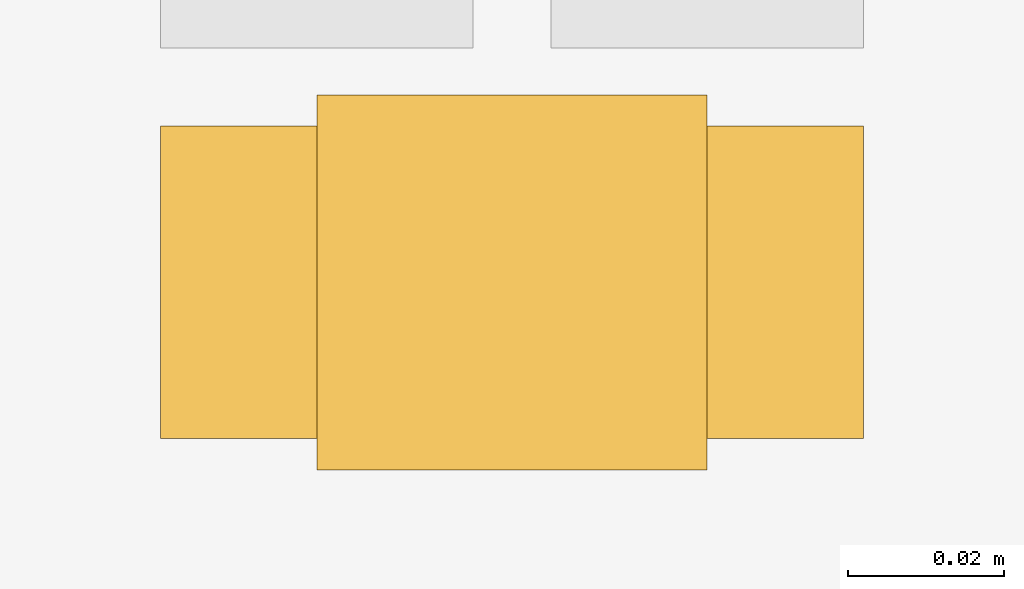
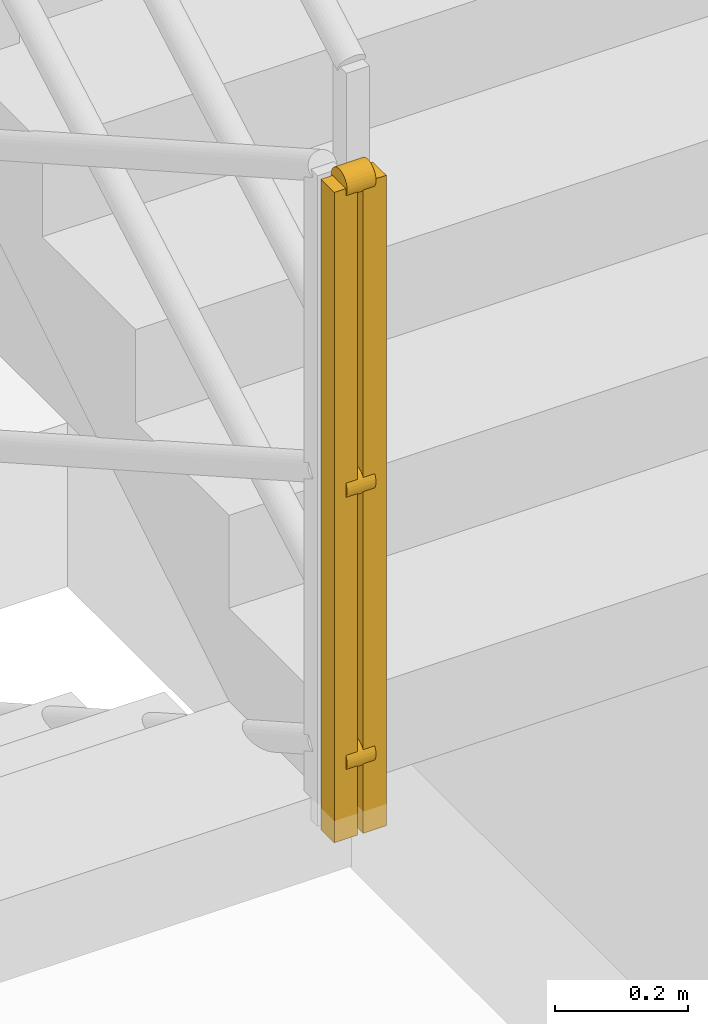
# One storey, part 12 of 16: 1 railing.
"""IFC4 building model written with IfcOpenShell, lengths in metres."""

from ifc_helpers import new_model, entity, si_unit, converted_unit, direction, frame, origin_with_axes, origin_2d_with_axis, place, context, subcontext, project, spatial, rectangle, circle, extrude, material, type_object, element, save


model = new_model("IFC4")

# Units and contexts
model_context = context("Model", 3, precision=1e-05, world=origin_with_axes(), true_north=direction((0.0, 1.0)))
body_context = subcontext(model_context, "Body", "Model", "MODEL_VIEW")
ifc_project = project(units=[si_unit("LENGTHUNIT", "METRE"), si_unit("AREAUNIT", "SQUARE_METRE"), si_unit("VOLUMEUNIT", "CUBIC_METRE"), converted_unit("PLANEANGLEUNIT", "DEGREE", entity("IfcPlaneAngleMeasure", 0.017453292519943295), si_unit("PLANEANGLEUNIT", "RADIAN"), dimensions=[0, 0, 0, 0, 0, 0, 0]), si_unit("MASSUNIT", "GRAM", prefix="KILO"), si_unit("THERMODYNAMICTEMPERATUREUNIT", "KELVIN")], contexts=[model_context])

# Site, building, storey
site_placement = place(None, origin_with_axes())
site = spatial("IfcSite", under=ifc_project, at=site_placement, CompositionType="ELEMENT")
building_placement = place(site_placement, origin_with_axes())
building = spatial("IfcBuilding", under=site, at=building_placement, Name="Varnlund Millrace Tower", CompositionType="ELEMENT")
storey_placement = place(building_placement, frame((0.0, 0.0, 187.5), z_axis=(0.0, 0.0, 1.0), x_axis=(1.0, 0.0, 0.0)))
storey = spatial("IfcBuildingStorey", under=building, at=storey_placement, Name="L46", CompositionType="ELEMENT", Elevation=187.5)

# Railing
ifc_material = material(Name="Painted steel stair well balustrade guard", Category="steel")
railing_type = type_object("IfcRailingType", Name="Type-StairGuard-1150", PredefinedType="GUARDRAIL", material=ifc_material)
railing_placement = place(storey_placement, frame((0.0, 0.0, -187.5), z_axis=(0.0, 0.0, 1.0), x_axis=(1.0, 0.0, 0.0)))
element("IfcRailing", 1, at=railing_placement, inside=storey, type_object=railing_type, Name="Type-StairGuard-1150", PredefinedType="GUARDRAIL", context=body_context, shape_type="SweptSolid", body=[
    extrude(circle(Radius=0.024, at=origin_2d_with_axis()), frame((13.675, 31.65, 191.2), z_axis=(-1.0, 0.0, 0.0), x_axis=(0.0, -1.0, 0.0)), (0.0, 0.0, 1.0), 0.05),
    extrude(circle(Radius=0.024, at=origin_2d_with_axis()), frame((13.675, 31.65, 190.15), z_axis=(-1.0, 0.0, 0.0), x_axis=(0.0, -1.0, 0.0)), (0.0, 0.0, 1.0), 0.05),
    extrude(circle(Radius=0.024, at=origin_2d_with_axis()), frame((13.675, 31.65, 190.648), z_axis=(-1.0, 0.0, 0.0), x_axis=(0.0, -1.0, 0.0)), (0.0, 0.0, 1.0), 0.05),
    extrude(rectangle(XDim=0.04, YDim=0.04, at=origin_2d_with_axis()), frame((13.675, 31.65, 190.01), z_axis=(0.0, 0.0, 1.0), x_axis=(1.0, 0.0, 0.0)), (0.0, 0.0, 1.0), 1.19),
    extrude(rectangle(XDim=0.04, YDim=0.04, at=origin_2d_with_axis()), frame((13.625, 31.65, 190.01), z_axis=(0.0, 0.0, 1.0), x_axis=(1.0, 0.0, 0.0)), (0.0, 0.0, 1.0), 1.19),
])

save(model, "model.ifc")
